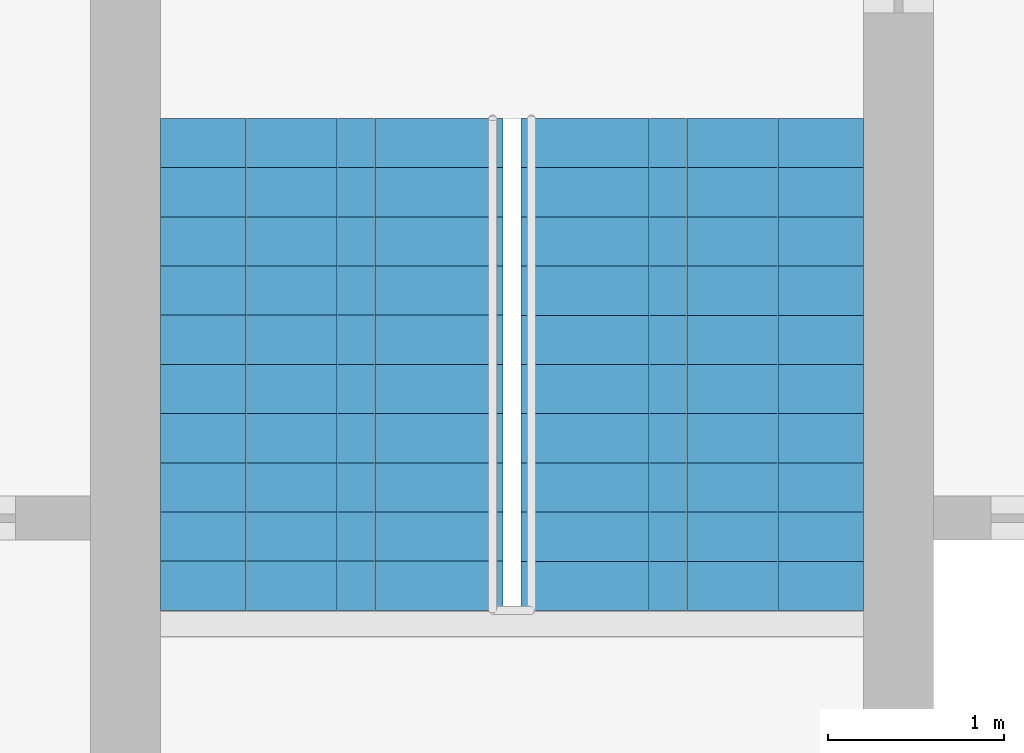
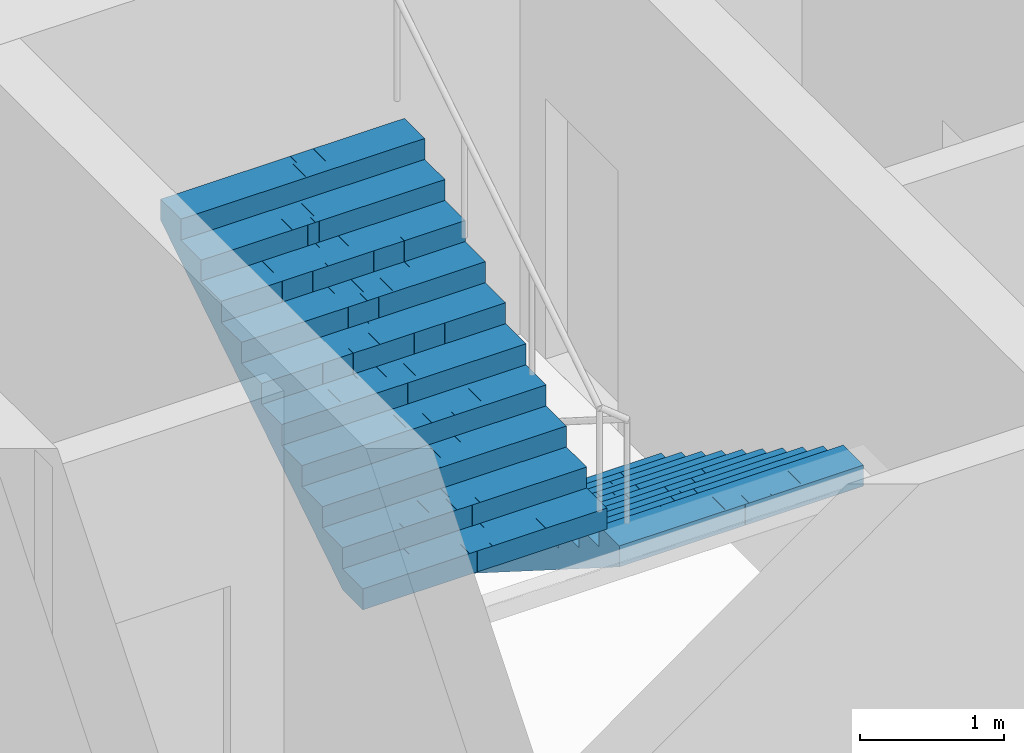
# One storey, part 21 of 22: 2 stair flights, 1 element without a shape of its own.
"""IFC4 building model written with IfcOpenShell, lengths in metres."""

from ifc_helpers import new_model, si_unit, direction, frame, origin, place, context, subcontext, project, spatial, polyline, outline, extrude, material, type_object, element, aggregate, save


model = new_model("IFC4")

# Units and contexts
model_context = context("Model", 3, precision=1e-05, world=origin(), true_north=direction((0.0, 1.0)))
body_context = subcontext(model_context, "Body", "Model", "MODEL_VIEW")
ifc_project = project(units=[si_unit("LENGTHUNIT", "METRE"), si_unit("AREAUNIT", "SQUARE_METRE"), si_unit("VOLUMEUNIT", "CUBIC_METRE"), si_unit("PLANEANGLEUNIT", "RADIAN"), si_unit("MASSUNIT", "GRAM", prefix="KILO")], contexts=[model_context])

# Site, building, storey
site_placement = place(None, origin())
site = spatial("IfcSite", under=ifc_project, at=site_placement, CompositionType="ELEMENT")
building_placement = place(site_placement, origin())
building = spatial("IfcBuilding", under=site, at=building_placement, Name="Mizan Broadcast Tower", CompositionType="ELEMENT")
storey_placement = place(building_placement, frame((0.0, 0.0, 63.0)))
storey = spatial("IfcBuildingStorey", under=building, at=storey_placement, Name="L12", CompositionType="ELEMENT", Elevation=63.0)

# Stair, stair flights
ifc_material_1 = material(Name="Concrete C40/50", Category="concrete")
stair_type = type_object("IfcStairType", Name="EXIT STAIR", PredefinedType="HALF_TURN_STAIR", material=ifc_material_1)
stair_placement = place(storey_placement, origin())
stair = element("IfcStair", 1, at=stair_placement, inside=storey, type_object=stair_type, Name="Stair B L12", PredefinedType="HALF_TURN_STAIR")
ifc_material_2 = material(Name="Concrete C40/50", Category="concrete")
stair_flight_type = type_object("IfcStairFlightType", Name="EXIT STAIR FLIGHT", PredefinedType="STRAIGHT", material=ifc_material_2)
stair_flight_1_placement = place(storey_placement, frame((1.02490234375, 7.89990234375, 0.0), z_axis=(0.0, 0.0, 1.0), x_axis=(0.0, -1.0, 0.0)))
stair_flight_1 = element("IfcStairFlight", 2, at=stair_flight_1_placement, type_object=stair_flight_type, Name="B flight 1", NumberOfRisers=11, NumberOfTreads=10, PredefinedType="STRAIGHT", RiserHeight=0.177272727, TreadLength=0.28, context=body_context, shape_type="SweptSolid", body=[
    extrude(outline(polyline([(0.0, 0.0), (0.0, 0.17724609375), (0.280029296875, 0.17724609375), (0.280029296875, 0.3544921875), (0.56005859375, 0.3544921875), (0.56005859375, 0.53173828125), (0.840087890625, 0.53173828125), (0.840087890625, 0.708984375), (1.1201171875, 0.708984375), (1.1201171875, 0.886474609375), (1.39990234375, 0.886474609375), (1.39990234375, 1.063720703125), (1.679931640625, 1.063720703125), (1.679931640625, 1.240966796875), (1.9599609375, 1.240966796875), (1.9599609375, 1.418212890625), (2.239990234375, 1.418212890625), (2.239990234375, 1.595458984375), (2.52001953125, 1.595458984375), (2.52001953125, 1.772705078125), (2.800048828125, 1.772705078125), (2.800048828125, 1.949951171875), (2.800048828125, 1.59521484375), (0.2802734375, 0.0), (0.0, 0.0)])), frame((0.0, 0.97509765625, 0.0), z_axis=(0.0, -1.0, 0.0), x_axis=(1.0, 0.0, 0.0)), (0.0, 0.0, 1.0), 0.4873046875),
    extrude(outline(polyline([(0.0, 0.0), (0.0, 0.17724609375), (0.280029296875, 0.17724609375), (0.280029296875, 0.3544921875), (0.56005859375, 0.3544921875), (0.56005859375, 0.53173828125), (0.840087890625, 0.53173828125), (0.840087890625, 0.708984375), (1.1201171875, 0.708984375), (1.1201171875, 0.886474609375), (1.39990234375, 0.886474609375), (1.39990234375, 1.063720703125), (1.679931640625, 1.063720703125), (1.679931640625, 1.240966796875), (1.9599609375, 1.240966796875), (1.9599609375, 1.418212890625), (2.239990234375, 1.418212890625), (2.239990234375, 1.595458984375), (2.52001953125, 1.595458984375), (2.52001953125, 1.772705078125), (2.800048828125, 1.772705078125), (2.800048828125, 1.949951171875), (2.800048828125, 1.59521484375), (0.2802734375, 0.0), (0.0, 0.0)])), frame((0.0, 0.4873046875, 0.0), z_axis=(0.0, -1.0, 0.0), x_axis=(1.0, 0.0, 0.0)), (0.0, 0.0, 1.0), 0.2431640625),
    extrude(outline(polyline([(0.0, 0.0), (0.0, 0.17724609375), (0.280029296875, 0.17724609375), (0.280029296875, 0.3544921875), (0.56005859375, 0.3544921875), (0.56005859375, 0.53173828125), (0.840087890625, 0.53173828125), (0.840087890625, 0.708984375), (1.1201171875, 0.708984375), (1.1201171875, 0.886474609375), (1.39990234375, 0.886474609375), (1.39990234375, 1.063720703125), (1.679931640625, 1.063720703125), (1.679931640625, 1.240966796875), (1.9599609375, 1.240966796875), (1.9599609375, 1.418212890625), (2.239990234375, 1.418212890625), (2.239990234375, 1.595458984375), (2.52001953125, 1.595458984375), (2.52001953125, 1.772705078125), (2.800048828125, 1.772705078125), (2.800048828125, 1.949951171875), (2.800048828125, 1.59521484375), (0.2802734375, 0.0), (0.0, 0.0)])), frame((0.0, 0.24365234375, 0.0), z_axis=(0.0, -1.0, 0.0), x_axis=(1.0, 0.0, 0.0)), (0.0, 0.0, 1.0), 0.121337890625),
    extrude(outline(polyline([(0.0, 0.0), (0.0, 0.17724609375), (0.280029296875, 0.17724609375), (0.280029296875, 0.3544921875), (0.56005859375, 0.3544921875), (0.56005859375, 0.53173828125), (0.840087890625, 0.53173828125), (0.840087890625, 0.708984375), (1.1201171875, 0.708984375), (1.1201171875, 0.886474609375), (1.39990234375, 0.886474609375), (1.39990234375, 1.063720703125), (1.679931640625, 1.063720703125), (1.679931640625, 1.240966796875), (1.9599609375, 1.240966796875), (1.9599609375, 1.418212890625), (2.239990234375, 1.418212890625), (2.239990234375, 1.595458984375), (2.52001953125, 1.595458984375), (2.52001953125, 1.772705078125), (2.800048828125, 1.772705078125), (2.800048828125, 1.949951171875), (2.800048828125, 1.59521484375), (0.2802734375, 0.0), (0.0, 0.0)])), frame((0.0, 0.121826171875, 0.0), z_axis=(0.0, -1.0, 0.0), x_axis=(1.0, 0.0, 0.0)), (0.0, 0.0, 1.0), 0.060546875),
    extrude(outline(polyline([(0.0, 0.0), (0.0, 0.17724609375), (0.280029296875, 0.17724609375), (0.280029296875, 0.3544921875), (0.56005859375, 0.3544921875), (0.56005859375, 0.53173828125), (0.840087890625, 0.53173828125), (0.840087890625, 0.708984375), (1.1201171875, 0.708984375), (1.1201171875, 0.886474609375), (1.39990234375, 0.886474609375), (1.39990234375, 1.063720703125), (1.679931640625, 1.063720703125), (1.679931640625, 1.240966796875), (1.9599609375, 1.240966796875), (1.9599609375, 1.418212890625), (2.239990234375, 1.418212890625), (2.239990234375, 1.595458984375), (2.52001953125, 1.595458984375), (2.52001953125, 1.772705078125), (2.800048828125, 1.772705078125), (2.800048828125, 1.949951171875), (2.800048828125, 1.59521484375), (0.2802734375, 0.0), (0.0, 0.0)])), frame((0.0, 0.060791015625, 0.0), z_axis=(0.0, -1.0, 0.0), x_axis=(1.0, 0.0, 0.0)), (0.0, 0.0, 1.0), 0.030029296875),
    extrude(outline(polyline([(0.0, 0.0), (0.0, 0.17724609375), (0.280029296875, 0.17724609375), (0.280029296875, 0.3544921875), (0.56005859375, 0.3544921875), (0.56005859375, 0.53173828125), (0.840087890625, 0.53173828125), (0.840087890625, 0.708984375), (1.1201171875, 0.708984375), (1.1201171875, 0.886474609375), (1.39990234375, 0.886474609375), (1.39990234375, 1.063720703125), (1.679931640625, 1.063720703125), (1.679931640625, 1.240966796875), (1.9599609375, 1.240966796875), (1.9599609375, 1.418212890625), (2.239990234375, 1.418212890625), (2.239990234375, 1.595458984375), (2.52001953125, 1.595458984375), (2.52001953125, 1.772705078125), (2.800048828125, 1.772705078125), (2.800048828125, 1.949951171875), (2.800048828125, 1.59521484375), (0.2802734375, 0.0), (0.0, 0.0)])), frame((0.0, 0.0302734375, 0.0), z_axis=(0.0, -1.0, 0.0), x_axis=(1.0, 0.0, 0.0)), (0.0, 0.0, 1.0), 0.060302734375),
    extrude(outline(polyline([(0.0, 0.0), (0.0, 0.17724609375), (0.280029296875, 0.17724609375), (0.280029296875, 0.3544921875), (0.56005859375, 0.3544921875), (0.56005859375, 0.53173828125), (0.840087890625, 0.53173828125), (0.840087890625, 0.708984375), (1.1201171875, 0.708984375), (1.1201171875, 0.886474609375), (1.39990234375, 0.886474609375), (1.39990234375, 1.063720703125), (1.679931640625, 1.063720703125), (1.679931640625, 1.240966796875), (1.9599609375, 1.240966796875), (1.9599609375, 1.418212890625), (2.239990234375, 1.418212890625), (2.239990234375, 1.595458984375), (2.52001953125, 1.595458984375), (2.52001953125, 1.772705078125), (2.800048828125, 1.772705078125), (2.800048828125, 1.949951171875), (2.800048828125, 1.59521484375), (0.2802734375, 0.0), (0.0, 0.0)])), frame((0.0, -0.030517578125, 0.0), z_axis=(0.0, -1.0, 0.0), x_axis=(1.0, 0.0, 0.0)), (0.0, 0.0, 1.0), 0.030029296875),
    extrude(outline(polyline([(0.0, 0.0), (0.0, 0.17724609375), (0.280029296875, 0.17724609375), (0.280029296875, 0.3544921875), (0.56005859375, 0.3544921875), (0.56005859375, 0.53173828125), (0.840087890625, 0.53173828125), (0.840087890625, 0.708984375), (1.1201171875, 0.708984375), (1.1201171875, 0.886474609375), (1.39990234375, 0.886474609375), (1.39990234375, 1.063720703125), (1.679931640625, 1.063720703125), (1.679931640625, 1.240966796875), (1.9599609375, 1.240966796875), (1.9599609375, 1.418212890625), (2.239990234375, 1.418212890625), (2.239990234375, 1.595458984375), (2.52001953125, 1.595458984375), (2.52001953125, 1.772705078125), (2.800048828125, 1.772705078125), (2.800048828125, 1.949951171875), (2.800048828125, 1.59521484375), (0.2802734375, 0.0), (0.0, 0.0)])), frame((0.0, -0.06103515625, 0.0), z_axis=(0.0, -1.0, 0.0), x_axis=(1.0, 0.0, 0.0)), (0.0, 0.0, 1.0), 0.060546875),
    extrude(outline(polyline([(0.0, 0.0), (0.0, 0.17724609375), (0.280029296875, 0.17724609375), (0.280029296875, 0.3544921875), (0.56005859375, 0.3544921875), (0.56005859375, 0.53173828125), (0.840087890625, 0.53173828125), (0.840087890625, 0.708984375), (1.1201171875, 0.708984375), (1.1201171875, 0.886474609375), (1.39990234375, 0.886474609375), (1.39990234375, 1.063720703125), (1.679931640625, 1.063720703125), (1.679931640625, 1.240966796875), (1.9599609375, 1.240966796875), (1.9599609375, 1.418212890625), (2.239990234375, 1.418212890625), (2.239990234375, 1.595458984375), (2.52001953125, 1.595458984375), (2.52001953125, 1.772705078125), (2.800048828125, 1.772705078125), (2.800048828125, 1.949951171875), (2.800048828125, 1.59521484375), (0.2802734375, 0.0), (0.0, 0.0)])), frame((0.0, -0.1220703125, 0.0), z_axis=(0.0, -1.0, 0.0), x_axis=(1.0, 0.0, 0.0)), (0.0, 0.0, 1.0), 0.121337890625),
    extrude(outline(polyline([(0.0, 0.0), (0.0, 0.17724609375), (0.280029296875, 0.17724609375), (0.280029296875, 0.3544921875), (0.56005859375, 0.3544921875), (0.56005859375, 0.53173828125), (0.840087890625, 0.53173828125), (0.840087890625, 0.708984375), (1.1201171875, 0.708984375), (1.1201171875, 0.886474609375), (1.39990234375, 0.886474609375), (1.39990234375, 1.063720703125), (1.679931640625, 1.063720703125), (1.679931640625, 1.240966796875), (1.9599609375, 1.240966796875), (1.9599609375, 1.418212890625), (2.239990234375, 1.418212890625), (2.239990234375, 1.595458984375), (2.52001953125, 1.595458984375), (2.52001953125, 1.772705078125), (2.800048828125, 1.772705078125), (2.800048828125, 1.949951171875), (2.800048828125, 1.59521484375), (0.2802734375, 0.0), (0.0, 0.0)])), frame((0.0, -0.243896484375, 0.0), z_axis=(0.0, -1.0, 0.0), x_axis=(1.0, 0.0, 0.0)), (0.0, 0.0, 1.0), 0.2431640625),
    extrude(outline(polyline([(0.0, 0.0), (0.0, 0.17724609375), (0.280029296875, 0.17724609375), (0.280029296875, 0.3544921875), (0.56005859375, 0.3544921875), (0.56005859375, 0.53173828125), (0.840087890625, 0.53173828125), (0.840087890625, 0.708984375), (1.1201171875, 0.708984375), (1.1201171875, 0.886474609375), (1.39990234375, 0.886474609375), (1.39990234375, 1.063720703125), (1.679931640625, 1.063720703125), (1.679931640625, 1.240966796875), (1.9599609375, 1.240966796875), (1.9599609375, 1.418212890625), (2.239990234375, 1.418212890625), (2.239990234375, 1.595458984375), (2.52001953125, 1.595458984375), (2.52001953125, 1.772705078125), (2.800048828125, 1.772705078125), (2.800048828125, 1.949951171875), (2.800048828125, 1.59521484375), (0.2802734375, 0.0), (0.0, 0.0)])), frame((0.0, -0.487548828125, 0.0), z_axis=(0.0, -1.0, 0.0), x_axis=(1.0, 0.0, 0.0)), (0.0, 0.0, 1.0), 0.4873046875),
])
stair_flight_2_placement = place(storey_placement, frame((-1.02490234375, 5.10009765625, 1.949951171875), z_axis=(0.0, 0.0, 1.0), x_axis=(0.0, 1.0, 0.0)))
stair_flight_2 = element("IfcStairFlight", 3, at=stair_flight_2_placement, type_object=stair_flight_type, Name="B flight 2", NumberOfRisers=11, NumberOfTreads=10, PredefinedType="STRAIGHT", RiserHeight=0.177272727, TreadLength=0.28, context=body_context, shape_type="SweptSolid", body=[
    extrude(outline(polyline([(0.0, 0.0), (0.0, 0.17724609375), (0.280029296875, 0.17724609375), (0.280029296875, 0.3544921875), (0.56005859375, 0.3544921875), (0.56005859375, 0.53173828125), (0.840087890625, 0.53173828125), (0.840087890625, 0.708984375), (1.1201171875, 0.708984375), (1.1201171875, 0.886474609375), (1.39990234375, 0.886474609375), (1.39990234375, 1.063720703125), (1.679931640625, 1.063720703125), (1.679931640625, 1.240966796875), (1.9599609375, 1.240966796875), (1.9599609375, 1.418212890625), (2.239990234375, 1.418212890625), (2.239990234375, 1.595458984375), (2.52001953125, 1.595458984375), (2.52001953125, 1.772705078125), (2.800048828125, 1.772705078125), (2.800048828125, 1.949951171875), (2.800048828125, 1.59521484375), (0.2802734375, 0.0), (0.0, 0.0)])), frame((0.0, 0.97509765625, 0.0), z_axis=(0.0, -1.0, 0.0), x_axis=(1.0, 0.0, 0.0)), (0.0, 0.0, 1.0), 0.4873046875),
    extrude(outline(polyline([(0.0, 0.0), (0.0, 0.17724609375), (0.280029296875, 0.17724609375), (0.280029296875, 0.3544921875), (0.56005859375, 0.3544921875), (0.56005859375, 0.53173828125), (0.840087890625, 0.53173828125), (0.840087890625, 0.708984375), (1.1201171875, 0.708984375), (1.1201171875, 0.886474609375), (1.39990234375, 0.886474609375), (1.39990234375, 1.063720703125), (1.679931640625, 1.063720703125), (1.679931640625, 1.240966796875), (1.9599609375, 1.240966796875), (1.9599609375, 1.418212890625), (2.239990234375, 1.418212890625), (2.239990234375, 1.595458984375), (2.52001953125, 1.595458984375), (2.52001953125, 1.772705078125), (2.800048828125, 1.772705078125), (2.800048828125, 1.949951171875), (2.800048828125, 1.59521484375), (0.2802734375, 0.0), (0.0, 0.0)])), frame((0.0, 0.4873046875, 0.0), z_axis=(0.0, -1.0, 0.0), x_axis=(1.0, 0.0, 0.0)), (0.0, 0.0, 1.0), 0.2431640625),
    extrude(outline(polyline([(0.0, 0.0), (0.0, 0.17724609375), (0.280029296875, 0.17724609375), (0.280029296875, 0.3544921875), (0.56005859375, 0.3544921875), (0.56005859375, 0.53173828125), (0.840087890625, 0.53173828125), (0.840087890625, 0.708984375), (1.1201171875, 0.708984375), (1.1201171875, 0.886474609375), (1.39990234375, 0.886474609375), (1.39990234375, 1.063720703125), (1.679931640625, 1.063720703125), (1.679931640625, 1.240966796875), (1.9599609375, 1.240966796875), (1.9599609375, 1.418212890625), (2.239990234375, 1.418212890625), (2.239990234375, 1.595458984375), (2.52001953125, 1.595458984375), (2.52001953125, 1.772705078125), (2.800048828125, 1.772705078125), (2.800048828125, 1.949951171875), (2.800048828125, 1.59521484375), (0.2802734375, 0.0), (0.0, 0.0)])), frame((0.0, 0.24365234375, 0.0), z_axis=(0.0, -1.0, 0.0), x_axis=(1.0, 0.0, 0.0)), (0.0, 0.0, 1.0), 0.121337890625),
    extrude(outline(polyline([(0.0, 0.0), (0.0, 0.17724609375), (0.280029296875, 0.17724609375), (0.280029296875, 0.3544921875), (0.56005859375, 0.3544921875), (0.56005859375, 0.53173828125), (0.840087890625, 0.53173828125), (0.840087890625, 0.708984375), (1.1201171875, 0.708984375), (1.1201171875, 0.886474609375), (1.39990234375, 0.886474609375), (1.39990234375, 1.063720703125), (1.679931640625, 1.063720703125), (1.679931640625, 1.240966796875), (1.9599609375, 1.240966796875), (1.9599609375, 1.418212890625), (2.239990234375, 1.418212890625), (2.239990234375, 1.595458984375), (2.52001953125, 1.595458984375), (2.52001953125, 1.772705078125), (2.800048828125, 1.772705078125), (2.800048828125, 1.949951171875), (2.800048828125, 1.59521484375), (0.2802734375, 0.0), (0.0, 0.0)])), frame((0.0, 0.121826171875, 0.0), z_axis=(0.0, -1.0, 0.0), x_axis=(1.0, 0.0, 0.0)), (0.0, 0.0, 1.0), 0.060546875),
    extrude(outline(polyline([(0.0, 0.0), (0.0, 0.17724609375), (0.280029296875, 0.17724609375), (0.280029296875, 0.3544921875), (0.56005859375, 0.3544921875), (0.56005859375, 0.53173828125), (0.840087890625, 0.53173828125), (0.840087890625, 0.708984375), (1.1201171875, 0.708984375), (1.1201171875, 0.886474609375), (1.39990234375, 0.886474609375), (1.39990234375, 1.063720703125), (1.679931640625, 1.063720703125), (1.679931640625, 1.240966796875), (1.9599609375, 1.240966796875), (1.9599609375, 1.418212890625), (2.239990234375, 1.418212890625), (2.239990234375, 1.595458984375), (2.52001953125, 1.595458984375), (2.52001953125, 1.772705078125), (2.800048828125, 1.772705078125), (2.800048828125, 1.949951171875), (2.800048828125, 1.59521484375), (0.2802734375, 0.0), (0.0, 0.0)])), frame((0.0, 0.060791015625, 0.0), z_axis=(0.0, -1.0, 0.0), x_axis=(1.0, 0.0, 0.0)), (0.0, 0.0, 1.0), 0.030029296875),
    extrude(outline(polyline([(0.0, 0.0), (0.0, 0.17724609375), (0.280029296875, 0.17724609375), (0.280029296875, 0.3544921875), (0.56005859375, 0.3544921875), (0.56005859375, 0.53173828125), (0.840087890625, 0.53173828125), (0.840087890625, 0.708984375), (1.1201171875, 0.708984375), (1.1201171875, 0.886474609375), (1.39990234375, 0.886474609375), (1.39990234375, 1.063720703125), (1.679931640625, 1.063720703125), (1.679931640625, 1.240966796875), (1.9599609375, 1.240966796875), (1.9599609375, 1.418212890625), (2.239990234375, 1.418212890625), (2.239990234375, 1.595458984375), (2.52001953125, 1.595458984375), (2.52001953125, 1.772705078125), (2.800048828125, 1.772705078125), (2.800048828125, 1.949951171875), (2.800048828125, 1.59521484375), (0.2802734375, 0.0), (0.0, 0.0)])), frame((0.0, 0.0302734375, 0.0), z_axis=(0.0, -1.0, 0.0), x_axis=(1.0, 0.0, 0.0)), (0.0, 0.0, 1.0), 0.060302734375),
    extrude(outline(polyline([(0.0, 0.0), (0.0, 0.17724609375), (0.280029296875, 0.17724609375), (0.280029296875, 0.3544921875), (0.56005859375, 0.3544921875), (0.56005859375, 0.53173828125), (0.840087890625, 0.53173828125), (0.840087890625, 0.708984375), (1.1201171875, 0.708984375), (1.1201171875, 0.886474609375), (1.39990234375, 0.886474609375), (1.39990234375, 1.063720703125), (1.679931640625, 1.063720703125), (1.679931640625, 1.240966796875), (1.9599609375, 1.240966796875), (1.9599609375, 1.418212890625), (2.239990234375, 1.418212890625), (2.239990234375, 1.595458984375), (2.52001953125, 1.595458984375), (2.52001953125, 1.772705078125), (2.800048828125, 1.772705078125), (2.800048828125, 1.949951171875), (2.800048828125, 1.59521484375), (0.2802734375, 0.0), (0.0, 0.0)])), frame((0.0, -0.030517578125, 0.0), z_axis=(0.0, -1.0, 0.0), x_axis=(1.0, 0.0, 0.0)), (0.0, 0.0, 1.0), 0.030029296875),
    extrude(outline(polyline([(0.0, 0.0), (0.0, 0.17724609375), (0.280029296875, 0.17724609375), (0.280029296875, 0.3544921875), (0.56005859375, 0.3544921875), (0.56005859375, 0.53173828125), (0.840087890625, 0.53173828125), (0.840087890625, 0.708984375), (1.1201171875, 0.708984375), (1.1201171875, 0.886474609375), (1.39990234375, 0.886474609375), (1.39990234375, 1.063720703125), (1.679931640625, 1.063720703125), (1.679931640625, 1.240966796875), (1.9599609375, 1.240966796875), (1.9599609375, 1.418212890625), (2.239990234375, 1.418212890625), (2.239990234375, 1.595458984375), (2.52001953125, 1.595458984375), (2.52001953125, 1.772705078125), (2.800048828125, 1.772705078125), (2.800048828125, 1.949951171875), (2.800048828125, 1.59521484375), (0.2802734375, 0.0), (0.0, 0.0)])), frame((0.0, -0.06103515625, 0.0), z_axis=(0.0, -1.0, 0.0), x_axis=(1.0, 0.0, 0.0)), (0.0, 0.0, 1.0), 0.060546875),
    extrude(outline(polyline([(0.0, 0.0), (0.0, 0.17724609375), (0.280029296875, 0.17724609375), (0.280029296875, 0.3544921875), (0.56005859375, 0.3544921875), (0.56005859375, 0.53173828125), (0.840087890625, 0.53173828125), (0.840087890625, 0.708984375), (1.1201171875, 0.708984375), (1.1201171875, 0.886474609375), (1.39990234375, 0.886474609375), (1.39990234375, 1.063720703125), (1.679931640625, 1.063720703125), (1.679931640625, 1.240966796875), (1.9599609375, 1.240966796875), (1.9599609375, 1.418212890625), (2.239990234375, 1.418212890625), (2.239990234375, 1.595458984375), (2.52001953125, 1.595458984375), (2.52001953125, 1.772705078125), (2.800048828125, 1.772705078125), (2.800048828125, 1.949951171875), (2.800048828125, 1.59521484375), (0.2802734375, 0.0), (0.0, 0.0)])), frame((0.0, -0.1220703125, 0.0), z_axis=(0.0, -1.0, 0.0), x_axis=(1.0, 0.0, 0.0)), (0.0, 0.0, 1.0), 0.121337890625),
    extrude(outline(polyline([(0.0, 0.0), (0.0, 0.17724609375), (0.280029296875, 0.17724609375), (0.280029296875, 0.3544921875), (0.56005859375, 0.3544921875), (0.56005859375, 0.53173828125), (0.840087890625, 0.53173828125), (0.840087890625, 0.708984375), (1.1201171875, 0.708984375), (1.1201171875, 0.886474609375), (1.39990234375, 0.886474609375), (1.39990234375, 1.063720703125), (1.679931640625, 1.063720703125), (1.679931640625, 1.240966796875), (1.9599609375, 1.240966796875), (1.9599609375, 1.418212890625), (2.239990234375, 1.418212890625), (2.239990234375, 1.595458984375), (2.52001953125, 1.595458984375), (2.52001953125, 1.772705078125), (2.800048828125, 1.772705078125), (2.800048828125, 1.949951171875), (2.800048828125, 1.59521484375), (0.2802734375, 0.0), (0.0, 0.0)])), frame((0.0, -0.243896484375, 0.0), z_axis=(0.0, -1.0, 0.0), x_axis=(1.0, 0.0, 0.0)), (0.0, 0.0, 1.0), 0.2431640625),
    extrude(outline(polyline([(0.0, 0.0), (0.0, 0.17724609375), (0.280029296875, 0.17724609375), (0.280029296875, 0.3544921875), (0.56005859375, 0.3544921875), (0.56005859375, 0.53173828125), (0.840087890625, 0.53173828125), (0.840087890625, 0.708984375), (1.1201171875, 0.708984375), (1.1201171875, 0.886474609375), (1.39990234375, 0.886474609375), (1.39990234375, 1.063720703125), (1.679931640625, 1.063720703125), (1.679931640625, 1.240966796875), (1.9599609375, 1.240966796875), (1.9599609375, 1.418212890625), (2.239990234375, 1.418212890625), (2.239990234375, 1.595458984375), (2.52001953125, 1.595458984375), (2.52001953125, 1.772705078125), (2.800048828125, 1.772705078125), (2.800048828125, 1.949951171875), (2.800048828125, 1.59521484375), (0.2802734375, 0.0), (0.0, 0.0)])), frame((0.0, -0.487548828125, 0.0), z_axis=(0.0, -1.0, 0.0), x_axis=(1.0, 0.0, 0.0)), (0.0, 0.0, 1.0), 0.4873046875),
])
aggregate(stair, [stair_flight_1, stair_flight_2])

save(model, "model.ifc")
